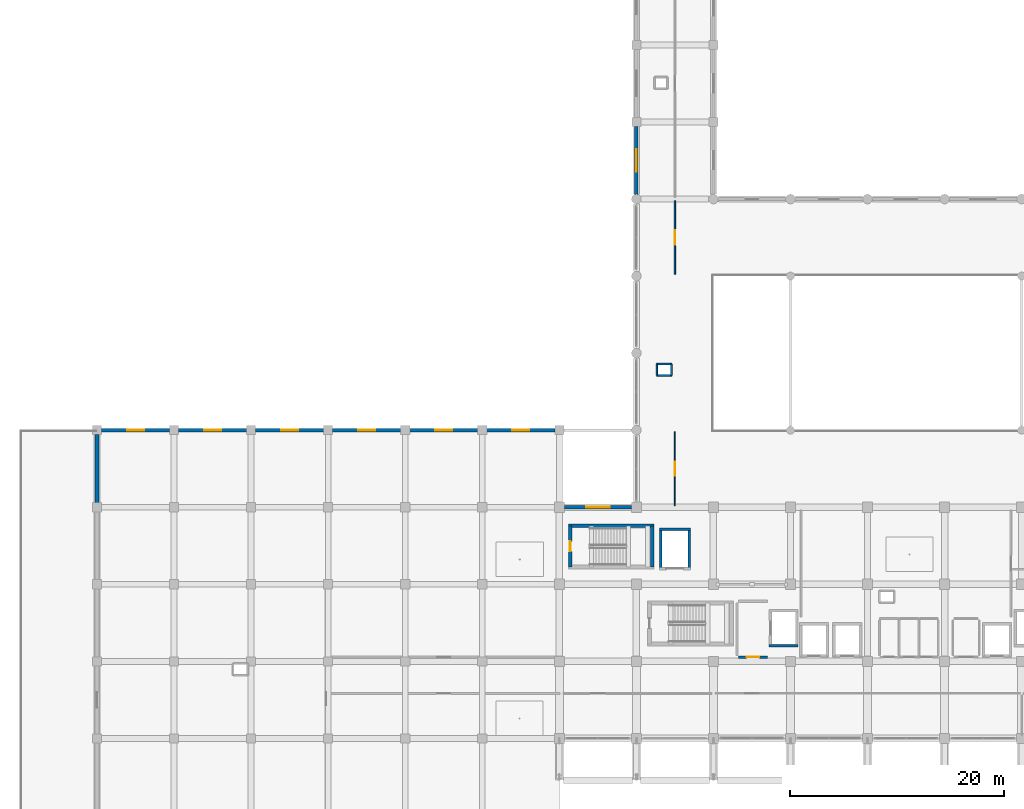
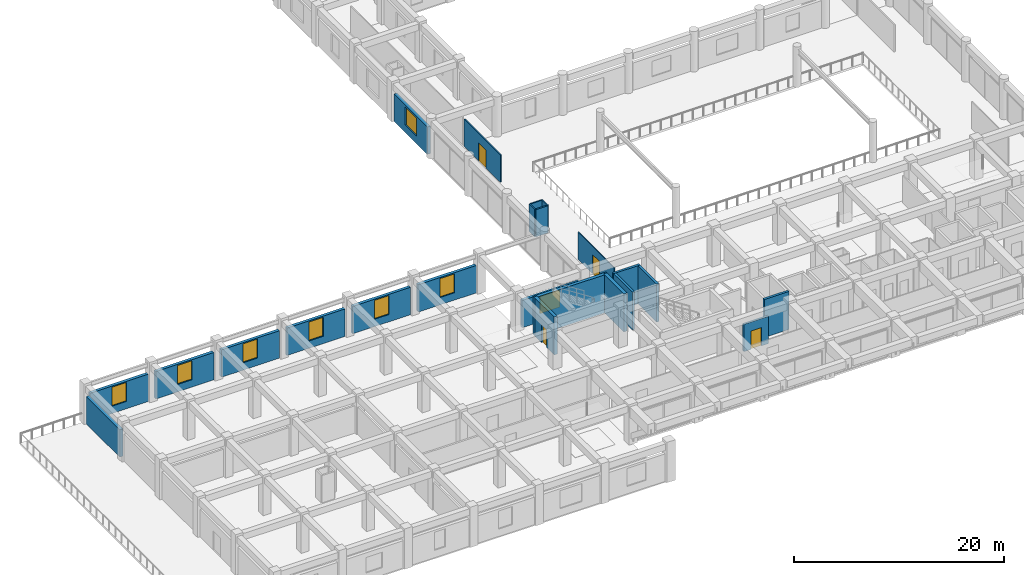
# One storey, part 33 of 54: 23 walls, 8 windows, 4 doors, 12 openings.
"""IFC4 building model written with IfcOpenShell, lengths in metres."""

from ifc_helpers import new_model, si_unit, direction, frame, frame_2d, origin, place, context, subcontext, project, spatial, rectangle, extrude, material, layer, layer_set, type_object, element, fill, save


model = new_model("IFC4")

# Units and contexts
model_context = context("Model", 3, precision=1e-05, world=origin(), true_north=direction((0.0, 1.0)))
body_context = subcontext(model_context, "Body", "Model", "MODEL_VIEW")
ifc_project = project(units=[si_unit("LENGTHUNIT", "METRE"), si_unit("AREAUNIT", "SQUARE_METRE"), si_unit("VOLUMEUNIT", "CUBIC_METRE"), si_unit("PLANEANGLEUNIT", "RADIAN"), si_unit("MASSUNIT", "GRAM", prefix="KILO")], contexts=[model_context])

# Site, building, storey
site_placement = place(None, origin())
site = spatial("IfcSite", under=ifc_project, at=site_placement, CompositionType="ELEMENT")
building_placement = place(site_placement, origin())
building = spatial("IfcBuilding", under=site, at=building_placement, Name="Kazehaya Institute of Natural Sciences", CompositionType="ELEMENT")
storey_placement = place(building_placement, frame((0.0, 0.0, 10.43994140625)))
storey = spatial("IfcBuildingStorey", under=building, at=storey_placement, Name="L02", CompositionType="ELEMENT", Elevation=10.43994140625)

# Wall
ifc_material_1 = material(Name="Concrete Fc42", Category="concrete")
ifc_layer_1 = layer(ifc_material_1, 0.35009765625, Name="Concrete Fc42", Category="concrete")
ifc_layer_set_1 = layer_set([ifc_layer_1], Name="Concrete Fc42")
wall_type_1 = type_object("IfcWallType", Name="WL-CORE-350", PredefinedType="SHEAR", material=ifc_layer_set_1)
wall_1_placement = place(storey_placement, frame((55.445068359375, 33.860107421875, 0.0), z_axis=(0.0, 0.0, 1.0), x_axis=(1.0, 0.0, 0.0)))
element("IfcWall", 1, at=wall_1_placement, inside=storey, type_object=wall_type_1, Name="L02 ST-4 core wall N", PredefinedType="SHEAR", context=body_context, shape_type="SweptSolid", body=[
    extrude(rectangle(XDim=8.010009765625, YDim=0.35009765625, at=frame_2d((4.0048828125, 0.0))), origin(), (0.0, 0.0, 1.0), 4.41015625),
])

# Wall, opening, door
wall_2_placement = place(storey_placement, frame((55.6201171875, 30.02001953125, 0.0), z_axis=(0.0, 0.0, 1.0), x_axis=(0.0, 1.0, 0.0)))
wall_2 = element("IfcWall", 2, at=wall_2_placement, inside=storey, type_object=wall_type_1, Name="L02 ST-4 core wall W", PredefinedType="SHEAR", context=body_context, shape_type="SweptSolid", body=[
    extrude(rectangle(XDim=3.840087890625, YDim=0.35009765625, at=frame_2d((1.919921875, 0.0))), origin(), (0.0, 0.0, 1.0), 4.41015625),
])
opening_1_placement = place(wall_2_placement, frame((1.449951171875, 0.0, 0.0)))
opening_1 = element("IfcOpeningElement", 3, at=opening_1_placement, cuts=wall_2, Name="Opening D-ST-033", PredefinedType="OPENING", context=body_context, shape_type="SweptSolid", body=[
    extrude(rectangle(XDim=0.93994140625, YDim=2.06005859375, at=frame_2d((0.469970703125, 1.030029296875))), frame((0.0, 0.18505859375, 0.0), z_axis=(0.0, -1.0, 0.0), x_axis=(1.0, 0.0, 0.0)), (0.0, 0.0, 1.0), 0.3701171875),
])
ifc_material_2 = material(Name="Fire-rated steel acoustic door", Category="steel")
door_type_1 = type_object("IfcDoorType", Name="DT-FD-04", OperationType="NOTDEFINED", PredefinedType="DOOR", material=ifc_material_2)
door_1_placement = place(opening_1_placement, origin())
door_1 = element("IfcDoor", 4, at=door_1_placement, inside=storey, type_object=door_type_1, Name="L02 ST-4 stair enclosure door D-ST-033", OperationType="SINGLE_SWING_LEFT", OverallHeight=2.06005859375, OverallWidth=0.93994140625, PredefinedType="DOOR", context=body_context, shape_type="SweptSolid", body=[
    extrude(rectangle(XDim=0.93994140625, YDim=2.06005859375, at=frame_2d((0.469970703125, 1.030029296875))), frame((0.0, 0.02490234375, 0.0), z_axis=(0.0, -1.0, 0.0), x_axis=(1.0, 0.0, 0.0)), (0.0, 0.0, 1.0), 0.050048828125),
])
fill(opening_1, door_1)

# Wall
wall_3_placement = place(storey_placement, frame((63.280029296875, 33.860107421875, 0.0), z_axis=(0.0, 0.0, 1.0), x_axis=(0.0, -1.0, 0.0)))
element("IfcWall", 5, at=wall_3_placement, inside=storey, type_object=wall_type_1, Name="L02 ST-4 core wall E", PredefinedType="SHEAR", context=body_context, shape_type="SweptSolid", body=[
    extrude(rectangle(XDim=3.840087890625, YDim=0.35009765625, at=frame_2d((1.919921875, 0.0))), origin(), (0.0, 0.0, 1.0), 4.41015625),
])

# Wall, opening, window
ifc_material_3 = material(Name="Precast concrete Fc36", Category="concrete")
ifc_layer_2 = layer(ifc_material_3, 0.31005859375, Name="Precast concrete Fc36", Category="concrete")
ifc_layer_set_2 = layer_set([ifc_layer_2], Name="Precast concrete Fc36")
wall_type_2 = type_object("IfcWallType", Name="WL-EXT-310", PredefinedType="SOLIDWALL", material=ifc_layer_set_2)
wall_4_placement = place(storey_placement, frame((55.06005859375, 35.60009765625, 0.0), z_axis=(0.0, 0.0, 1.0), x_axis=(1.0, 0.0, 0.0)))
wall_4 = element("IfcWall", 6, at=wall_4_placement, inside=storey, type_object=wall_type_2, Name="L02 exterior wall EW-L02-0198", PredefinedType="SOLIDWALL", context=body_context, shape_type="SweptSolid", body=[
    extrude(rectangle(XDim=6.280029296875, YDim=0.31005859375, at=frame_2d((3.14013671875, 0.0))), origin(), (0.0, 0.0, 1.0), 3.18017578125),
])
opening_2_placement = place(wall_4_placement, frame((2.0400390625, 0.0, 0.85009765625)))
opening_2 = element("IfcOpeningElement", 7, at=opening_2_placement, cuts=wall_4, Name="Opening W20", PredefinedType="OPENING", context=body_context, shape_type="SweptSolid", body=[
    extrude(rectangle(XDim=2.199951171875, YDim=2.0, at=frame_2d((1.10009765625, 1.0))), frame((0.0, 0.1650390625, 0.0), z_axis=(0.0, -1.0, 0.0), x_axis=(1.0, 0.0, 0.0)), (0.0, 0.0, 1.0), 0.330078125),
])
ifc_material_4 = material(Name="Low-E double-glazed aluminium window", Category="aluminium")
window_type_1 = type_object("IfcWindowType", Name="WN-20", PartitioningType="DOUBLE_PANEL_VERTICAL", PredefinedType="WINDOW", material=ifc_material_4)
window_1_placement = place(opening_2_placement, origin())
window_1 = element("IfcWindow", 8, at=window_1_placement, inside=storey, type_object=window_type_1, Name="L02 facade window 0100", OverallHeight=2.0, OverallWidth=2.199951171875, PartitioningType="DOUBLE_PANEL_VERTICAL", PredefinedType="WINDOW", context=body_context, shape_type="SweptSolid", body=[
    extrude(rectangle(XDim=2.199951171875, YDim=2.0, at=frame_2d((1.10009765625, 1.0))), frame((0.0, 0.030029296875, 0.0), z_axis=(0.0, -1.0, 0.0), x_axis=(1.0, 0.0, 0.0)), (0.0, 0.0, 1.0), 0.06005859375),
])
fill(opening_2, window_1)

ifc_layer_3 = layer(ifc_material_3, 0.320068359375, Name="Precast concrete Fc36", Category="concrete")
ifc_layer_set_3 = layer_set([ifc_layer_3], Name="Precast concrete Fc36")
wall_type_3 = type_object("IfcWallType", Name="WL-EXT-320", PredefinedType="SOLIDWALL", material=ifc_layer_set_3)
wall_5_placement = place(storey_placement, frame((61.800048828125, 64.8349609375, 0.0), z_axis=(0.0, 0.0, 1.0), x_axis=(0.0, 1.0, 0.0)))
wall_5 = element("IfcWall", 9, at=wall_5_placement, inside=storey, type_object=wall_type_3, Name="L02 exterior wall EW-L02-0200", PredefinedType="SOLIDWALL", context=body_context, shape_type="SweptSolid", body=[
    extrude(rectangle(XDim=6.35498046875, YDim=0.320068359375, at=frame_2d((3.177490234375, 0.0))), origin(), (0.0, 0.0, 1.0), 3.18017578125),
])
opening_3_placement = place(wall_5_placement, frame((2.12744140625, 0.0, 0.85009765625)))
opening_3 = element("IfcOpeningElement", 10, at=opening_3_placement, cuts=wall_5, Name="Opening W07", PredefinedType="OPENING", context=body_context, shape_type="SweptSolid", body=[
    extrude(rectangle(XDim=2.10009765625, YDim=2.10009765625, at=frame_2d((1.050048828125, 1.050048828125))), frame((0.0, 0.169921875, 0.0), z_axis=(0.0, -1.0, 0.0), x_axis=(1.0, 0.0, 0.0)), (0.0, 0.0, 1.0), 0.340087890625),
])
window_type_2 = type_object("IfcWindowType", Name="WN-07", PartitioningType="DOUBLE_PANEL_VERTICAL", PredefinedType="WINDOW", material=ifc_material_4)
window_2_placement = place(opening_3_placement, origin())
window_2 = element("IfcWindow", 11, at=window_2_placement, inside=storey, type_object=window_type_2, Name="L02 facade window 0102", OverallHeight=2.10009765625, OverallWidth=2.10009765625, PartitioningType="DOUBLE_PANEL_VERTICAL", PredefinedType="WINDOW", context=body_context, shape_type="SweptSolid", body=[
    extrude(rectangle(XDim=2.10009765625, YDim=2.10009765625, at=frame_2d((1.050048828125, 1.050048828125))), frame((0.0, 0.030029296875, 0.0), z_axis=(0.0, -1.0, 0.0), x_axis=(1.0, 0.0, 0.0)), (0.0, 0.0, 1.0), 0.06005859375),
])
fill(opening_3, window_2)

wall_6_placement = place(storey_placement, frame((11.81005859375, 42.800048828125, 0.0), z_axis=(0.0, 0.0, 1.0), x_axis=(1.0, 0.0, 0.0)))
wall_6 = element("IfcWall", 12, at=wall_6_placement, inside=storey, type_object=wall_type_3, Name="L02 exterior wall EW-L02-0396", PredefinedType="SOLIDWALL", context=body_context, shape_type="SweptSolid", body=[
    extrude(rectangle(XDim=6.3798828125, YDim=0.320068359375, at=frame_2d((3.18994140625, 0.0))), origin(), (0.0, 0.0, 1.0), 3.18017578125),
])
opening_4_placement = place(wall_6_placement, frame((2.389892578125, 0.0, 0.85009765625)))
opening_4 = element("IfcOpeningElement", 13, at=opening_4_placement, cuts=wall_6, Name="Opening W18", PredefinedType="OPENING", context=body_context, shape_type="SweptSolid", body=[
    extrude(rectangle(XDim=1.60009765625, YDim=2.199951171875, at=frame_2d((0.800048828125, 1.10009765625))), frame((0.0, 0.169921875, 0.0), z_axis=(0.0, -1.0, 0.0), x_axis=(1.0, 0.0, 0.0)), (0.0, 0.0, 1.0), 0.340087890625),
])
window_type_3 = type_object("IfcWindowType", Name="WN-18", PartitioningType="SINGLE_PANEL", PredefinedType="WINDOW", material=ifc_material_4)
window_3_placement = place(opening_4_placement, origin())
window_3 = element("IfcWindow", 14, at=window_3_placement, inside=storey, type_object=window_type_3, Name="L02 facade window 0250", OverallHeight=2.199951171875, OverallWidth=1.60009765625, PartitioningType="SINGLE_PANEL", PredefinedType="WINDOW", context=body_context, shape_type="SweptSolid", body=[
    extrude(rectangle(XDim=1.60009765625, YDim=2.199951171875, at=frame_2d((0.800048828125, 1.10009765625))), frame((0.0, 0.030029296875, 0.0), z_axis=(0.0, -1.0, 0.0), x_axis=(1.0, 0.0, 0.0)), (0.0, 0.0, 1.0), 0.06005859375),
])
fill(opening_4, window_3)

wall_7_placement = place(storey_placement, frame((19.010009765625, 42.800048828125, 0.0), z_axis=(0.0, 0.0, 1.0), x_axis=(1.0, 0.0, 0.0)))
wall_7 = element("IfcWall", 15, at=wall_7_placement, inside=storey, type_object=wall_type_3, Name="L02 exterior wall EW-L02-0397", PredefinedType="SOLIDWALL", context=body_context, shape_type="SweptSolid", body=[
    extrude(rectangle(XDim=6.3798828125, YDim=0.320068359375, at=frame_2d((3.18994140625, 0.0))), origin(), (0.0, 0.0, 1.0), 3.18017578125),
])
opening_5_placement = place(wall_7_placement, frame((2.389892578125, 0.0, 0.85009765625)))
opening_5 = element("IfcOpeningElement", 16, at=opening_5_placement, cuts=wall_7, Name="Opening W18", PredefinedType="OPENING", context=body_context, shape_type="SweptSolid", body=[
    extrude(rectangle(XDim=1.60009765625, YDim=2.199951171875, at=frame_2d((0.800048828125, 1.10009765625))), frame((0.0, 0.169921875, 0.0), z_axis=(0.0, -1.0, 0.0), x_axis=(1.0, 0.0, 0.0)), (0.0, 0.0, 1.0), 0.340087890625),
])
window_4_placement = place(opening_5_placement, origin())
window_4 = element("IfcWindow", 17, at=window_4_placement, inside=storey, type_object=window_type_3, Name="L02 facade window 0251", OverallHeight=2.199951171875, OverallWidth=1.60009765625, PartitioningType="SINGLE_PANEL", PredefinedType="WINDOW", context=body_context, shape_type="SweptSolid", body=[
    extrude(rectangle(XDim=1.60009765625, YDim=2.199951171875, at=frame_2d((0.800048828125, 1.10009765625))), frame((0.0, 0.030029296875, 0.0), z_axis=(0.0, -1.0, 0.0), x_axis=(1.0, 0.0, 0.0)), (0.0, 0.0, 1.0), 0.06005859375),
])
fill(opening_5, window_4)

wall_8_placement = place(storey_placement, frame((26.2099609375, 42.800048828125, 0.0), z_axis=(0.0, 0.0, 1.0), x_axis=(1.0, 0.0, 0.0)))
wall_8 = element("IfcWall", 18, at=wall_8_placement, inside=storey, type_object=wall_type_3, Name="L02 exterior wall EW-L02-0398", PredefinedType="SOLIDWALL", context=body_context, shape_type="SweptSolid", body=[
    extrude(rectangle(XDim=6.380126953125, YDim=0.320068359375, at=frame_2d((3.18994140625, 0.0))), origin(), (0.0, 0.0, 1.0), 3.18017578125),
])
opening_6_placement = place(wall_8_placement, frame((2.389892578125, 0.0, 0.85009765625)))
opening_6 = element("IfcOpeningElement", 19, at=opening_6_placement, cuts=wall_8, Name="Opening W18", PredefinedType="OPENING", context=body_context, shape_type="SweptSolid", body=[
    extrude(rectangle(XDim=1.60009765625, YDim=2.199951171875, at=frame_2d((0.800048828125, 1.10009765625))), frame((0.0, 0.169921875, 0.0), z_axis=(0.0, -1.0, 0.0), x_axis=(1.0, 0.0, 0.0)), (0.0, 0.0, 1.0), 0.340087890625),
])
window_5_placement = place(opening_6_placement, origin())
window_5 = element("IfcWindow", 20, at=window_5_placement, inside=storey, type_object=window_type_3, Name="L02 facade window 0252", OverallHeight=2.199951171875, OverallWidth=1.60009765625, PartitioningType="SINGLE_PANEL", PredefinedType="WINDOW", context=body_context, shape_type="SweptSolid", body=[
    extrude(rectangle(XDim=1.60009765625, YDim=2.199951171875, at=frame_2d((0.800048828125, 1.10009765625))), frame((0.0, 0.030029296875, 0.0), z_axis=(0.0, -1.0, 0.0), x_axis=(1.0, 0.0, 0.0)), (0.0, 0.0, 1.0), 0.06005859375),
])
fill(opening_6, window_5)

wall_9_placement = place(storey_placement, frame((33.409912109375, 42.800048828125, 0.0), z_axis=(0.0, 0.0, 1.0), x_axis=(1.0, 0.0, 0.0)))
wall_9 = element("IfcWall", 21, at=wall_9_placement, inside=storey, type_object=wall_type_3, Name="L02 exterior wall EW-L02-0399", PredefinedType="SOLIDWALL", context=body_context, shape_type="SweptSolid", body=[
    extrude(rectangle(XDim=6.380126953125, YDim=0.320068359375, at=frame_2d((3.18994140625, 0.0))), origin(), (0.0, 0.0, 1.0), 3.18017578125),
])
opening_7_placement = place(wall_9_placement, frame((2.389892578125, 0.0, 0.85009765625)))
opening_7 = element("IfcOpeningElement", 22, at=opening_7_placement, cuts=wall_9, Name="Opening W18", PredefinedType="OPENING", context=body_context, shape_type="SweptSolid", body=[
    extrude(rectangle(XDim=1.60009765625, YDim=2.199951171875, at=frame_2d((0.800048828125, 1.10009765625))), frame((0.0, 0.169921875, 0.0), z_axis=(0.0, -1.0, 0.0), x_axis=(1.0, 0.0, 0.0)), (0.0, 0.0, 1.0), 0.340087890625),
])
window_6_placement = place(opening_7_placement, origin())
window_6 = element("IfcWindow", 23, at=window_6_placement, inside=storey, type_object=window_type_3, Name="L02 facade window 0253", OverallHeight=2.199951171875, OverallWidth=1.60009765625, PartitioningType="SINGLE_PANEL", PredefinedType="WINDOW", context=body_context, shape_type="SweptSolid", body=[
    extrude(rectangle(XDim=1.60009765625, YDim=2.199951171875, at=frame_2d((0.800048828125, 1.10009765625))), frame((0.0, 0.030029296875, 0.0), z_axis=(0.0, -1.0, 0.0), x_axis=(1.0, 0.0, 0.0)), (0.0, 0.0, 1.0), 0.06005859375),
])
fill(opening_7, window_6)

wall_10_placement = place(storey_placement, frame((40.610107421875, 42.800048828125, 0.0), z_axis=(0.0, 0.0, 1.0), x_axis=(1.0, 0.0, 0.0)))
wall_10 = element("IfcWall", 24, at=wall_10_placement, inside=storey, type_object=wall_type_3, Name="L02 exterior wall EW-L02-0400", PredefinedType="SOLIDWALL", context=body_context, shape_type="SweptSolid", body=[
    extrude(rectangle(XDim=6.3798828125, YDim=0.320068359375, at=frame_2d((3.18994140625, 0.0))), origin(), (0.0, 0.0, 1.0), 3.18017578125),
])
opening_8_placement = place(wall_10_placement, frame((2.389892578125, 0.0, 0.85009765625)))
opening_8 = element("IfcOpeningElement", 25, at=opening_8_placement, cuts=wall_10, Name="Opening W18", PredefinedType="OPENING", context=body_context, shape_type="SweptSolid", body=[
    extrude(rectangle(XDim=1.60009765625, YDim=2.199951171875, at=frame_2d((0.800048828125, 1.10009765625))), frame((0.0, 0.169921875, 0.0), z_axis=(0.0, -1.0, 0.0), x_axis=(1.0, 0.0, 0.0)), (0.0, 0.0, 1.0), 0.340087890625),
])
window_7_placement = place(opening_8_placement, origin())
window_7 = element("IfcWindow", 26, at=window_7_placement, inside=storey, type_object=window_type_3, Name="L02 facade window 0254", OverallHeight=2.199951171875, OverallWidth=1.60009765625, PartitioningType="SINGLE_PANEL", PredefinedType="WINDOW", context=body_context, shape_type="SweptSolid", body=[
    extrude(rectangle(XDim=1.60009765625, YDim=2.199951171875, at=frame_2d((0.800048828125, 1.10009765625))), frame((0.0, 0.030029296875, 0.0), z_axis=(0.0, -1.0, 0.0), x_axis=(1.0, 0.0, 0.0)), (0.0, 0.0, 1.0), 0.06005859375),
])
fill(opening_8, window_7)

wall_11_placement = place(storey_placement, frame((47.81005859375, 42.800048828125, 0.0), z_axis=(0.0, 0.0, 1.0), x_axis=(1.0, 0.0, 0.0)))
wall_11 = element("IfcWall", 27, at=wall_11_placement, inside=storey, type_object=wall_type_3, Name="L02 exterior wall EW-L02-0401", PredefinedType="SOLIDWALL", context=body_context, shape_type="SweptSolid", body=[
    extrude(rectangle(XDim=6.3798828125, YDim=0.320068359375, at=frame_2d((3.18994140625, 0.0))), origin(), (0.0, 0.0, 1.0), 3.18017578125),
])
opening_9_placement = place(wall_11_placement, frame((2.389892578125, 0.0, 0.85009765625)))
opening_9 = element("IfcOpeningElement", 28, at=opening_9_placement, cuts=wall_11, Name="Opening W18", PredefinedType="OPENING", context=body_context, shape_type="SweptSolid", body=[
    extrude(rectangle(XDim=1.60009765625, YDim=2.199951171875, at=frame_2d((0.800048828125, 1.10009765625))), frame((0.0, 0.169921875, 0.0), z_axis=(0.0, -1.0, 0.0), x_axis=(1.0, 0.0, 0.0)), (0.0, 0.0, 1.0), 0.340087890625),
])
window_8_placement = place(opening_9_placement, origin())
window_8 = element("IfcWindow", 29, at=window_8_placement, inside=storey, type_object=window_type_3, Name="L02 facade window 0255", OverallHeight=2.199951171875, OverallWidth=1.60009765625, PartitioningType="SINGLE_PANEL", PredefinedType="WINDOW", context=body_context, shape_type="SweptSolid", body=[
    extrude(rectangle(XDim=1.60009765625, YDim=2.199951171875, at=frame_2d((0.800048828125, 1.10009765625))), frame((0.0, 0.030029296875, 0.0), z_axis=(0.0, -1.0, 0.0), x_axis=(1.0, 0.0, 0.0)), (0.0, 0.0, 1.0), 0.06005859375),
])
fill(opening_9, window_8)

# Wall
ifc_layer_4 = layer(ifc_material_3, 0.340087890625, Name="Precast concrete Fc36", Category="concrete")
ifc_layer_set_4 = layer_set([ifc_layer_4], Name="Precast concrete Fc36")
wall_type_4 = type_object("IfcWallType", Name="WL-EXT-340", PredefinedType="SOLIDWALL", material=ifc_layer_set_4)
wall_12_placement = place(storey_placement, frame((11.39990234375, 36.010009765625, 0.0), z_axis=(0.0, 0.0, 1.0), x_axis=(0.0, 1.0, 0.0)))
element("IfcWall", 30, at=wall_12_placement, inside=storey, type_object=wall_type_4, Name="L02 exterior wall EW-L02-0389", PredefinedType="SOLIDWALL", context=body_context, shape_type="SweptSolid", body=[
    extrude(rectangle(XDim=6.3798828125, YDim=0.340087890625, at=frame_2d((3.18994140625, 0.0))), origin(), (0.0, 0.0, 1.0), 3.18017578125),
])

# Wall, opening, door
ifc_material_5 = material(Name="Concrete Fc36", Category="concrete")
ifc_layer_5 = layer(ifc_material_5, 0.22998046875, Name="Concrete Fc36", Category="concrete")
ifc_layer_set_5 = layer_set([ifc_layer_5], Name="Concrete Fc36")
wall_type_5 = type_object("IfcWallType", Name="WL-FFL-230", PredefinedType="PARTITIONING", material=ifc_layer_set_5)
wall_13_placement = place(storey_placement, frame((74.050048828125, 21.60009765625, 0.0), z_axis=(0.0, 0.0, 1.0), x_axis=(-1.0, 0.0, 0.0)))
wall_13 = element("IfcWall", 31, at=wall_13_placement, inside=storey, type_object=wall_type_5, Name="L02 West Firefighting Lift Lobby partition IW-L02-0129", PredefinedType="PARTITIONING", context=body_context, shape_type="SweptSolid", body=[
    extrude(rectangle(XDim=2.699951171875, YDim=0.22998046875, at=frame_2d((1.35009765625, 0.0))), origin(), (0.0, 0.0, 1.0), 3.16015625),
])
opening_10_placement = place(wall_13_placement, frame((0.760009765625, 0.0, 0.0)))
opening_10 = element("IfcOpeningElement", 32, at=opening_10_placement, cuts=wall_13, Name="Opening D-L02-0098", PredefinedType="OPENING", context=body_context, shape_type="SweptSolid", body=[
    extrude(rectangle(XDim=1.179931640625, YDim=2.1201171875, at=frame_2d((0.58984375, 1.06005859375))), frame((0.0, 0.125, 0.0), z_axis=(0.0, -1.0, 0.0), x_axis=(1.0, 0.0, 0.0)), (0.0, 0.0, 1.0), 0.25),
])
door_type_2 = type_object("IfcDoorType", Name="DT-FD-23", OperationType="NOTDEFINED", PredefinedType="DOOR", material=ifc_material_2)
door_2_placement = place(opening_10_placement, origin())
door_2 = element("IfcDoor", 33, at=door_2_placement, inside=storey, type_object=door_type_2, Name="L02 West Firefighting Lift Lobby door D-L02-0098", OperationType="SINGLE_SWING_RIGHT", OverallHeight=2.1201171875, OverallWidth=1.179931640625, PredefinedType="DOOR", context=body_context, shape_type="SweptSolid", body=[
    extrude(rectangle(XDim=1.179931640625, YDim=2.1201171875, at=frame_2d((0.58984375, 1.06005859375))), frame((0.0, 0.02490234375, 0.0), z_axis=(0.0, -1.0, 0.0), x_axis=(1.0, 0.0, 0.0)), (0.0, 0.0, 1.0), 0.050048828125),
])
fill(opening_10, door_2)

ifc_material_6 = material(Name="Lightweight chase partition")
ifc_layer_6 = layer(ifc_material_6, 0.10009765625, Name="Lightweight chase partition")
ifc_layer_set_6 = layer_set([ifc_layer_6], Name="Lightweight chase partition")
wall_type_6 = type_object("IfcWallType", Name="WL-PART-100", PredefinedType="PARTITIONING", material=ifc_layer_set_6)
wall_14_placement = place(storey_placement, frame((65.39990234375, 35.75, 0.0), z_axis=(0.0, 0.0, 1.0), x_axis=(0.0, 1.0, 0.0)))
wall_14 = element("IfcWall", 34, at=wall_14_placement, inside=storey, type_object=wall_type_6, Name="L02 Atrium Gallery Lounge partition IW-L02-0161", PredefinedType="PARTITIONING", context=body_context, shape_type="SweptSolid", body=[
    extrude(rectangle(XDim=6.89990234375, YDim=0.10009765625, at=frame_2d((3.449951171875, 0.0))), origin(), (0.0, 0.0, 1.0), 3.16015625),
])
opening_11_placement = place(wall_14_placement, frame((2.7900390625, 0.0, 0.0)))
opening_11 = element("IfcOpeningElement", 35, at=opening_11_placement, cuts=wall_14, Name="Opening D-L02-0112", PredefinedType="OPENING", context=body_context, shape_type="SweptSolid", body=[
    extrude(rectangle(XDim=1.320068359375, YDim=2.219970703125, at=frame_2d((0.66015625, 1.10986328125))), frame((0.0, 0.06005859375, 0.0), z_axis=(0.0, -1.0, 0.0), x_axis=(1.0, 0.0, 0.0)), (0.0, 0.0, 1.0), 0.1201171875),
])
ifc_material_7 = material(Name="Flush timber and aluminium laboratory door", Category="wood")
door_type_3 = type_object("IfcDoorType", Name="DT-INT-48", OperationType="NOTDEFINED", PredefinedType="DOOR", material=ifc_material_7)
door_3_placement = place(opening_11_placement, origin())
door_3 = element("IfcDoor", 36, at=door_3_placement, inside=storey, type_object=door_type_3, Name="L02 Atrium Gallery Lounge door D-L02-0112", OperationType="SINGLE_SWING_RIGHT", OverallHeight=2.219970703125, OverallWidth=1.320068359375, PredefinedType="DOOR", context=body_context, shape_type="SweptSolid", body=[
    extrude(rectangle(XDim=1.320068359375, YDim=2.219970703125, at=frame_2d((0.66015625, 1.10986328125))), frame((0.0, 0.02490234375, 0.0), z_axis=(0.0, -1.0, 0.0), x_axis=(1.0, 0.0, 0.0)), (0.0, 0.0, 1.0), 0.050048828125),
])
fill(opening_11, door_3)

ifc_material_8 = material(Name="Gypsum partition", Category="gypsum")
ifc_layer_7 = layer(ifc_material_8, 0.139892578125, Name="Gypsum partition", Category="gypsum")
ifc_layer_set_7 = layer_set([ifc_layer_7], Name="Gypsum partition")
wall_type_7 = type_object("IfcWallType", Name="WL-PART-140", PredefinedType="PARTITIONING", material=ifc_layer_set_7)
wall_15_placement = place(storey_placement, frame((65.39990234375, 57.35009765625, 0.0), z_axis=(0.0, 0.0, 1.0), x_axis=(0.0, 1.0, 0.0)))
wall_15 = element("IfcWall", 37, at=wall_15_placement, inside=storey, type_object=wall_type_7, Name="L02 Atrium North Study Gallery partition IW-L02-0163", PredefinedType="PARTITIONING", context=body_context, shape_type="SweptSolid", body=[
    extrude(rectangle(XDim=6.89990234375, YDim=0.139892578125, at=frame_2d((3.449951171875, 0.0))), origin(), (0.0, 0.0, 1.0), 3.16015625),
])
opening_12_placement = place(wall_15_placement, frame((2.760009765625, 0.0, 0.0)))
opening_12 = element("IfcOpeningElement", 38, at=opening_12_placement, cuts=wall_15, Name="Opening D-L02-0113", PredefinedType="OPENING", context=body_context, shape_type="SweptSolid", body=[
    extrude(rectangle(XDim=1.3798828125, YDim=2.050048828125, at=frame_2d((0.68994140625, 1.02490234375))), frame((0.0, 0.079833984375, 0.0), z_axis=(0.0, -1.0, 0.0), x_axis=(1.0, 0.0, 0.0)), (0.0, 0.0, 1.0), 0.159912109375),
])
door_type_4 = type_object("IfcDoorType", Name="DT-INT-49", OperationType="DOUBLE_DOOR_SINGLE_SWING", PredefinedType="DOOR", material=ifc_material_7)
door_4_placement = place(opening_12_placement, origin())
door_4 = element("IfcDoor", 39, at=door_4_placement, inside=storey, type_object=door_type_4, Name="L02 Atrium North Study Gallery door D-L02-0113", OperationType="DOUBLE_DOOR_SINGLE_SWING", OverallHeight=2.050048828125, OverallWidth=1.3798828125, PredefinedType="DOOR", context=body_context, shape_type="SweptSolid", body=[
    extrude(rectangle(XDim=1.3798828125, YDim=2.050048828125, at=frame_2d((0.68994140625, 1.02490234375))), frame((0.0, 0.02490234375, 0.0), z_axis=(0.0, -1.0, 0.0), x_axis=(1.0, 0.0, 0.0)), (0.0, 0.0, 1.0), 0.050048828125),
])
fill(opening_12, door_4)

# Walls
ifc_layer_8 = layer(ifc_material_5, 0.14990234375, Name="Concrete Fc36", Category="concrete")
ifc_layer_set_8 = layer_set([ifc_layer_8], Name="Concrete Fc36")
wall_type_8 = type_object("IfcWallType", Name="WL-RISER-150", PredefinedType="PARTITIONING", material=ifc_layer_set_8)
for number, where, z_axis, x_axis, name in (
    (40, (65.0849609375, 47.9150390625, 0.0), (0.0, 0.0, 1.0), (-1.0, 0.0, 0.0), "L02 fume exhaust riser shaft wall 26"),
    (41, (63.715087890625, 48.985107421875, 0.0), (0.0, 0.0, 1.0), (1.0, 0.0, 0.0), "L02 fume exhaust riser shaft wall 26"),
):
    element("IfcWall", number, at=place(storey_placement, frame(where, z_axis=z_axis, x_axis=x_axis)), inside=storey, type_object=wall_type_8, Name=name, PredefinedType="PARTITIONING", context=body_context, shape_type="SweptSolid", body=[
        extrude(rectangle(XDim=1.369873046875, YDim=0.14990234375, at=frame_2d((0.68505859375, 0.0))), origin(), (0.0, 0.0, 1.0), 3.16015625),
    ])
for number, where, z_axis, x_axis, name in (
    (42, (63.715087890625, 47.9150390625, 0.0), (0.0, 0.0, 1.0), (0.0, 1.0, 0.0), "L02 fume exhaust riser shaft wall 26"),
    (43, (65.0849609375, 48.985107421875, 0.0), (0.0, 0.0, 1.0), (0.0, -1.0, 0.0), "L02 fume exhaust riser shaft wall 26"),
):
    element("IfcWall", number, at=place(storey_placement, frame(where, z_axis=z_axis, x_axis=x_axis)), inside=storey, type_object=wall_type_8, Name=name, PredefinedType="PARTITIONING", context=body_context, shape_type="SweptSolid", body=[
        extrude(rectangle(XDim=1.070068359375, YDim=0.14990234375, at=frame_2d((0.53515625, 0.0))), origin(), (0.0, 0.0, 1.0), 3.16015625),
    ])
ifc_layer_9 = layer(ifc_material_1, 0.25, Name="Concrete Fc42", Category="concrete")
ifc_layer_set_9 = layer_set([ifc_layer_9], Name="Concrete Fc42")
wall_type_9 = type_object("IfcWallType", Name="WL-SHAFT-250", PredefinedType="SHEAR", material=ifc_layer_set_9)
wall_16_placement = place(storey_placement, frame((76.909912109375, 22.6650390625, 0.0), z_axis=(0.0, 0.0, 1.0), x_axis=(-1.0, 0.0, 0.0)))
element("IfcWall", 44, at=wall_16_placement, inside=storey, type_object=wall_type_9, Name="L02 EL07 lift shaft wall south", PredefinedType="SHEAR", context=body_context, shape_type="SweptSolid", body=[
    extrude(rectangle(XDim=2.719970703125, YDim=0.25, at=frame_2d((1.35986328125, 0.0))), origin(), (0.0, 0.0, 1.0), 4.41015625),
])
wall_17_placement = place(storey_placement, frame((63.93994140625, 33.534912109375, 0.0), z_axis=(0.0, 0.0, 1.0), x_axis=(1.0, 0.0, 0.0)))
element("IfcWall", 45, at=wall_17_placement, inside=storey, type_object=wall_type_9, Name="L02 EL06 lift shaft wall north", PredefinedType="SHEAR", context=body_context, shape_type="SweptSolid", body=[
    extrude(rectangle(XDim=2.920166015625, YDim=0.25, at=frame_2d((1.4599609375, 0.0))), origin(), (0.0, 0.0, 1.0), 4.41015625),
])
for number, where, z_axis, x_axis, name in (
    (46, (64.06494140625, 29.864990234375, 0.0), (0.0, 0.0, 1.0), (0.0, 1.0, 0.0), "L02 EL06 lift shaft wall west"),
    (47, (66.735107421875, 33.534912109375, 0.0), (0.0, 0.0, 1.0), (0.0, -1.0, 0.0), "L02 EL06 lift shaft wall east"),
):
    element("IfcWall", number, at=place(storey_placement, frame(where, z_axis=z_axis, x_axis=x_axis)), inside=storey, type_object=wall_type_9, Name=name, PredefinedType="SHEAR", context=body_context, shape_type="SweptSolid", body=[
        extrude(rectangle(XDim=3.669921875, YDim=0.25, at=frame_2d((1.8349609375, 0.0))), origin(), (0.0, 0.0, 1.0), 4.41015625),
    ])

save(model, "model.ifc")
